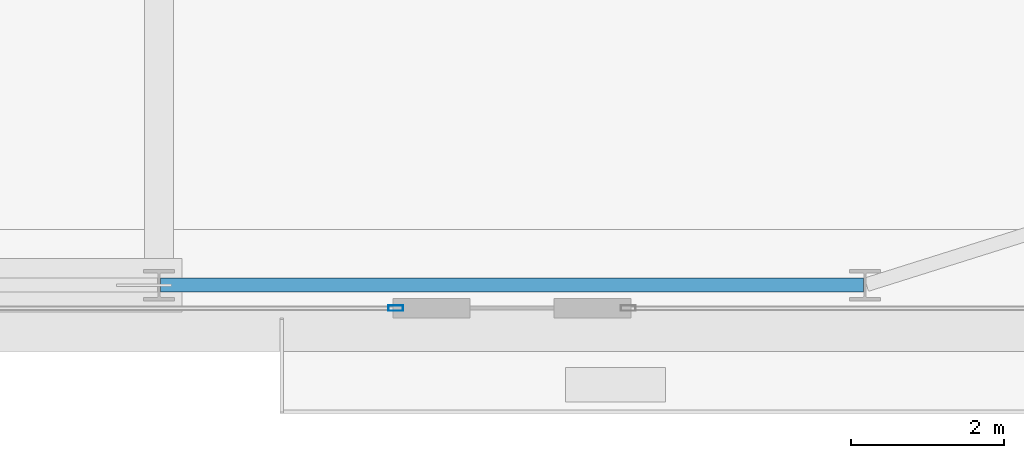
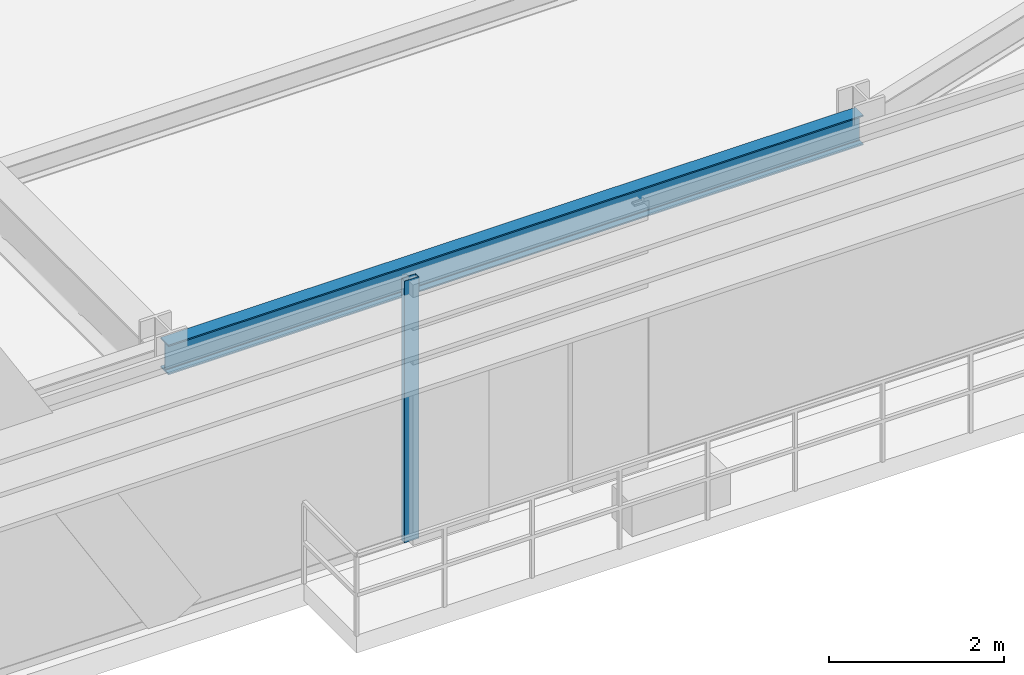
# One storey, part 13 of 34: 1 beam, 1 member, 1 element without a shape of its own.
"""IFC4 building model written with IfcOpenShell, lengths in metres."""

import ifcopenshell
import ifcopenshell.guid

model = None  # the IFC model being written
_history = None  # IfcOwnerHistory: only IFC2X3 demands one
_inside = {}  # id of a spatial element -> (the spatial element, [elements in it])
_under = {}  # id of a project, library or spatial element -> (it, [spatial elements below it])
_declared = {}  # id of a project -> (the project, [libraries it declares])
_typed = {}  # id of a type object -> (the type object, [elements of that type])
_made_of = {}  # id of a material, layer set ... -> (it, [elements and type objects made of it])


def new_model(schema):
    """Start an empty IFC model of exactly this schema.

    Asked for "IFC4X3", IfcOpenShell would pick the latest addendum, in which some entities
    have other attributes; the version numbers below select the first issue.
    IFC2X3 requires an IfcOwnerHistory on every rooted entity: one is made here for all.
    """
    global model, _history
    if schema == "IFC4X3":
        model = ifcopenshell.file(schema_version=(4, 3, 0, 0))
    else:
        model = ifcopenshell.file(schema=schema)
    _inside.clear()
    _under.clear()
    _declared.clear()
    _typed.clear()
    _made_of.clear()
    _history = None
    if model.schema == "IFC2X3":
        org = make("IfcOrganization", Name="unknown")
        user = make(
            "IfcPersonAndOrganization",
            ThePerson=make("IfcPerson", FamilyName="unknown"),
            TheOrganization=org,
        )
        app = make(
            "IfcApplication",
            ApplicationDeveloper=org,
            Version="unknown",
            ApplicationFullName="unknown",
            ApplicationIdentifier="unknown",
        )
        _history = make(
            "IfcOwnerHistory",
            OwningUser=user,
            OwningApplication=app,
            ChangeAction="ADDED",
            CreationDate=0,
        )
    return model


def make(cls, **values):
    """One entity of the class cls with the attributes given. An attribute that is None is left unset."""
    return model.create_entity(
        cls, **{name: value for name, value in values.items() if value is not None}
    )


def rooted(cls, **values):
    """An entity with a GlobalId (a new one), such as an element, a storey or a relation."""
    return make(cls, GlobalId=ifcopenshell.guid.new(), OwnerHistory=_history, **values)


def si_unit(unit_type, name, prefix=None):
    """IfcSIUnit, for example si_unit("LENGTHUNIT", "METRE", prefix="MILLI")."""
    return make("IfcSIUnit", UnitType=unit_type, Prefix=prefix, Name=name)


def assignment(units):
    """IfcUnitAssignment: the units of a project."""
    return None if units is None else make("IfcUnitAssignment", Units=units)


def point(xyz):
    """IfcCartesianPoint."""
    return None if xyz is None else make("IfcCartesianPoint", Coordinates=xyz)


def direction(xyz):
    """IfcDirection."""
    return None if xyz is None else make("IfcDirection", DirectionRatios=xyz)


def frame(location, z_axis=None, x_axis=None):
    """IfcAxis2Placement3D, a coordinate frame: its origin and axes. An axis left out is left unset."""
    return make(
        "IfcAxis2Placement3D",
        Location=point(location),
        Axis=direction(z_axis),
        RefDirection=direction(x_axis),
    )


def frame_2d(location, x_axis=None):
    """IfcAxis2Placement2D, a coordinate frame in the plane: its origin and x axis."""
    return make(
        "IfcAxis2Placement2D", Location=point(location), RefDirection=direction(x_axis)
    )


def origin():
    """The frame at (0, 0, 0) with its axes left unset."""
    return frame((0.0, 0.0, 0.0))


def origin_2d():
    """The frame at (0, 0) in the plane with its x axis left unset."""
    return frame_2d((0.0, 0.0))


def place(relative_to, where):
    """IfcLocalPlacement: puts the frame where relative to a parent placement (None: the world)."""
    return make(
        "IfcLocalPlacement", PlacementRelTo=relative_to, RelativePlacement=where
    )


def context(
    kind, dimensions, precision=None, world=None, true_north=None, identifier=None
):
    """IfcGeometricRepresentationContext, for example the 3D "Model" context."""
    return make(
        "IfcGeometricRepresentationContext",
        ContextIdentifier=identifier,
        ContextType=kind,
        CoordinateSpaceDimension=dimensions,
        Precision=precision,
        WorldCoordinateSystem=world,
        TrueNorth=true_north,
    )


def subcontext(parent, identifier, kind, view, scale=None):
    """IfcGeometricRepresentationSubContext, for example "Body" below "Model"."""
    return make(
        "IfcGeometricRepresentationSubContext",
        ContextIdentifier=identifier,
        ContextType=kind,
        ParentContext=parent,
        TargetScale=scale,
        TargetView=view,
    )


def project(units=None, contexts=None):
    """IfcProject with its units and contexts."""
    return rooted(
        "IfcProject",
        Name="project",
        RepresentationContexts=contexts,
        UnitsInContext=assignment(units),
    )


def spatial(cls, under=None, at=None, **own):
    """A site, building, storey or space (cls), placed at a placement, below another one or the project."""
    s = rooted(cls, ObjectPlacement=at, **own)
    if under is not None:
        _under.setdefault(under.id(), (under, []))[1].append(s)
    return s


def profile(cls, at=None, kind="AREA", **sizes):
    """A parametric profile (cls). Its sizes go by their IFC names, for example OverallWidth=200.0."""
    return make(cls, ProfileType=kind, Position=at, **sizes)


def hollow_rectangle(**sizes):
    """IfcRectangleHollowProfileDef."""
    return profile("IfcRectangleHollowProfileDef", **sizes)


def i_section(**sizes):
    """IfcIShapeProfileDef."""
    return profile("IfcIShapeProfileDef", **sizes)


def extrude(swept, where, along, depth):
    """IfcExtrudedAreaSolid: the profile swept, set in the frame where, extruded along a direction by depth."""
    return make(
        "IfcExtrudedAreaSolid",
        SweptArea=swept,
        Position=where,
        ExtrudedDirection=direction(along),
        Depth=depth,
    )


def shape(context_of_items, identifier, shape_type, items):
    """IfcShapeRepresentation: the items that make up one representation, for example the "Body"."""
    return make(
        "IfcShapeRepresentation",
        ContextOfItems=context_of_items,
        RepresentationIdentifier=identifier,
        RepresentationType=shape_type,
        Items=items,
    )


def source(mapping_origin, context_of_items, identifier, shape_type, items):
    """IfcRepresentationMap: a shape defined once, which mapped items show again and again."""
    return make(
        "IfcRepresentationMap",
        MappingOrigin=mapping_origin,
        MappedRepresentation=shape(context_of_items, identifier, shape_type, items),
    )


def transform(
    local_origin,
    x_axis=None,
    y_axis=None,
    z_axis=None,
    scale=None,
    scale2=None,
    scale3=None,
    uniform=True,
):
    """IfcCartesianTransformationOperator3D, or its non-uniform kind. x_axis, y_axis, z_axis: its Axis1, 2, 3."""
    if uniform:
        return make(
            "IfcCartesianTransformationOperator3D",
            Axis1=direction(x_axis),
            Axis2=direction(y_axis),
            LocalOrigin=point(local_origin),
            Scale=scale,
            Axis3=direction(z_axis),
        )
    return make(
        "IfcCartesianTransformationOperator3DnonUniform",
        Axis1=direction(x_axis),
        Axis2=direction(y_axis),
        LocalOrigin=point(local_origin),
        Scale=scale,
        Axis3=direction(z_axis),
        Scale2=scale2,
        Scale3=scale3,
    )


def mapped(mapping_source, mapping_target):
    """IfcMappedItem: shows the shape of a source again, moved by a transform."""
    return make(
        "IfcMappedItem", MappingSource=mapping_source, MappingTarget=mapping_target
    )


def material(Name=None, Category=None):
    """IfcMaterial."""
    return make("IfcMaterial", Name=Name, Category=Category)


def layer(
    of_material, thickness, ventilated=None, Name=None, Category=None, Priority=None
):
    """IfcMaterialLayer: one layer of a wall or slab, of a material (None: an air gap)."""
    return make(
        "IfcMaterialLayer",
        Material=of_material,
        LayerThickness=thickness,
        IsVentilated=ventilated,
        Name=Name,
        Category=Category,
        Priority=Priority,
    )


def layer_set(layers, Name=None):
    """IfcMaterialLayerSet."""
    return make("IfcMaterialLayerSet", MaterialLayers=layers, LayerSetName=Name)


def material_profile(
    of_material, cross_section, Name=None, Category=None, Priority=None
):
    """IfcMaterialProfile: a cross section and its material."""
    return make(
        "IfcMaterialProfile",
        Name=Name,
        Material=of_material,
        Profile=cross_section,
        Priority=Priority,
        Category=Category,
    )


def profile_set(profiles, Name=None, composite=None):
    """IfcMaterialProfileSet."""
    return make(
        "IfcMaterialProfileSet",
        Name=Name,
        MaterialProfiles=profiles,
        CompositeProfile=composite,
    )


def made_of(thing, what):
    """Note that an element or type object is made of a material, layer set ...; save() writes the relation."""
    if what is not None:
        _made_of.setdefault(what.id(), (what, []))[1].append(thing)
    return thing


def type_object(cls, material=None, **own):
    """A type object (cls), such as IfcWallType, which elements share."""
    return made_of(rooted(cls, **own), material)


def type_shapes(of_type, sources):
    """Give a type object the sources (RepresentationMaps) that its elements show as mapped items."""
    of_type.RepresentationMaps = sources


def element(
    cls,
    number,
    at=None,
    inside=None,
    cuts=None,
    type_object=None,
    material=None,
    context=None,
    identifier="Body",
    shape_type=None,
    held_by="IfcProductDefinitionShape",
    body=None,
    shapes=None,
    **own,
):
    """One element of the class cls, such as IfcWall. Its Tag is "e" and its number.

    at: its placement. inside: the storey or other place that contains it. cuts: it is an
    opening in that element (IfcRelVoidsElement). A single representation is given by context,
    identifier, shape_type and body (its items); several are given by shapes. held_by: the class
    of the entity that holds the representations. save() writes the other relations.
    """
    e = rooted(cls, Tag="e%d" % number, ObjectPlacement=at, **own)
    if body is not None:
        shapes = [shape(context, identifier, shape_type, body)]
    if shapes is not None:
        e.Representation = make(held_by, Representations=shapes)
    if inside is not None:
        _inside.setdefault(inside.id(), (inside, []))[1].append(e)
    if cuts is not None:
        rooted(
            "IfcRelVoidsElement", RelatingBuildingElement=cuts, RelatedOpeningElement=e
        )
    if type_object is not None:
        _typed.setdefault(type_object.id(), (type_object, []))[1].append(e)
    return made_of(e, material)


def aggregate(whole, parts):
    """IfcRelAggregates: a whole, such as a stair, and the parts it consists of."""
    return rooted("IfcRelAggregates", RelatingObject=whole, RelatedObjects=parts)


def save(model, path):
    """Write the relations noted so far, then the file.

    IfcRelAggregates (storeys below a building ...), IfcRelContainedInSpatialStructure (elements
    in a storey), IfcRelDefinesByType, IfcRelAssociatesMaterial and IfcRelDeclares: one each for
    every whole, place, type object, material and project.
    """
    for whole, parts in _under.values():
        aggregate(whole, parts)
    for where, things in _inside.values():
        rooted(
            "IfcRelContainedInSpatialStructure",
            RelatedElements=things,
            RelatingStructure=where,
        )
    for kind, things in _typed.values():
        rooted("IfcRelDefinesByType", RelatedObjects=things, RelatingType=kind)
    for what, things in _made_of.values():
        rooted("IfcRelAssociatesMaterial", RelatedObjects=things, RelatingMaterial=what)
    for by, libraries in _declared.values():
        rooted("IfcRelDeclares", RelatingContext=by, RelatedDefinitions=libraries)
    model.write(path)


model = new_model("IFC4")

# Units and contexts
model_context = context("Model", 3, precision=1e-05, world=origin(), true_north=direction((0.0, 1.0)))
body_context = subcontext(model_context, "Body", "Model", "MODEL_VIEW")
ifc_project = project(units=[si_unit("LENGTHUNIT", "METRE"), si_unit("AREAUNIT", "SQUARE_METRE"), si_unit("VOLUMEUNIT", "CUBIC_METRE"), si_unit("PLANEANGLEUNIT", "RADIAN"), si_unit("MASSUNIT", "GRAM", prefix="KILO")], contexts=[model_context])

# Site, building, storey
site_placement = place(None, origin())
site = spatial("IfcSite", under=ifc_project, at=site_placement, CompositionType="ELEMENT")
building_placement = place(site_placement, origin())
building = spatial("IfcBuilding", under=site, at=building_placement, Name="Varnel Quay Broadcast Tower", CompositionType="ELEMENT")
storey_placement = place(building_placement, frame((0.0, 0.0, 27.60009765625)))
storey = spatial("IfcBuildingStorey", under=building, at=storey_placement, Name="L05", CompositionType="ELEMENT", Elevation=27.60009765625)

# Beam
ifc_material_1 = material(Name="Structural Steel CSA G40.21 350W", Category="steel")
ifc_material_profile_1 = material_profile(ifc_material_1, i_section(OverallWidth=0.180908203125, OverallDepth=0.4169921875, WebThickness=0.010986328125, FlangeThickness=0.018310546875, FilletRadius=0.011962890625, at=origin_2d()), Name="W410X85")
ifc_profile_set_1 = profile_set([ifc_material_profile_1], Name="Structural Steel CSA G40.21 350W")
beam_type = type_object("IfcBeamType", Name="Beam_W410X85", PredefinedType="SPANDREL", material=ifc_profile_set_1)
shared_shape_1 = source(origin(), body_context, "Body", "SweptSolid", [
    extrude(i_section(OverallWidth=0.180908203125, OverallDepth=0.4169921875, WebThickness=0.010986328125, FlangeThickness=0.018310546875, FilletRadius=0.011962890625, at=origin_2d()), origin(), (0.0, 0.0, 1.0), 9.159912109375),
])
type_shapes(beam_type, [shared_shape_1])
beam_placement = place(storey_placement, frame((43.219970703125, 1.64990234375, 3.44140625), z_axis=(1.0, 0.0, 0.0), x_axis=(0.0, 1.0, 0.0)))
element("IfcBeam", 1, at=beam_placement, inside=storey, type_object=beam_type, Name="L05 South Spandrel TC-S4-TC-S5", PredefinedType="SPANDREL", context=body_context, shape_type="MappedRepresentation", body=[
    mapped(shared_shape_1, transform((0.0, 0.0, 0.0), x_axis=(1.0, 0.0, 0.0), y_axis=(0.0, 1.0, 0.0), z_axis=(0.0, 0.0, 1.0), scale=1.0)),
])

# Curtain wall, member
ifc_material_2 = material(Name="Anodised Bronze Aluminium 6063-T6", Category="aluminium")
ifc_layer = layer(ifc_material_2, 0.18994140625, Name="Anodised Bronze Aluminium 6063-T6")
ifc_layer_set = layer_set([ifc_layer], Name="Anodised Bronze Aluminium 6063-T6")
curtain_wall_type = type_object("IfcCurtainWallType", Name="CW_LowerTower", PredefinedType="NOTDEFINED", material=ifc_layer_set)
curtain_wall_placement = place(storey_placement, origin())
curtain_wall = element("IfcCurtainWall", 2, at=curtain_wall_placement, inside=storey, type_object=curtain_wall_type, Name="L05 South Unitised Curtain Wall 2", PredefinedType="NOTDEFINED")
ifc_material_profile_2 = material_profile(ifc_material_2, hollow_rectangle(XDim=0.070068359375, YDim=0.18994140625, WallThickness=0.00390625, at=origin_2d()), Name="ALU70X190X4")
ifc_profile_set_2 = profile_set([ifc_material_profile_2], Name="Anodised Bronze Aluminium 6063-T6")
member_type = type_object("IfcMemberType", Name="Mull_CWS-02", PredefinedType="MULLION", material=ifc_profile_set_2)
shared_shape_2 = source(origin(), body_context, "Body", "SweptSolid", [
    extrude(hollow_rectangle(XDim=0.070068359375, YDim=0.18994140625, WallThickness=0.00390625, at=origin_2d()), origin(), (0.0, 0.0, 1.0), 3.64990234375),
])
type_shapes(member_type, [shared_shape_2])
member_placement = place(storey_placement, frame((46.284912109375, 1.35009765625, 0.0), z_axis=(0.0, 0.0, 1.0), x_axis=(0.0, 1.0, 0.0)))
member = element("IfcMember", 3, at=member_placement, type_object=member_type, Name="CWS-02 mullion 3", PredefinedType="MULLION", context=body_context, shape_type="MappedRepresentation", body=[
    mapped(shared_shape_2, transform((0.0, 0.0, 0.0), x_axis=(1.0, 0.0, 0.0), y_axis=(0.0, 1.0, 0.0), z_axis=(0.0, 0.0, 1.0), scale=1.0)),
])
aggregate(curtain_wall, [member])

save(model, "model.ifc")
